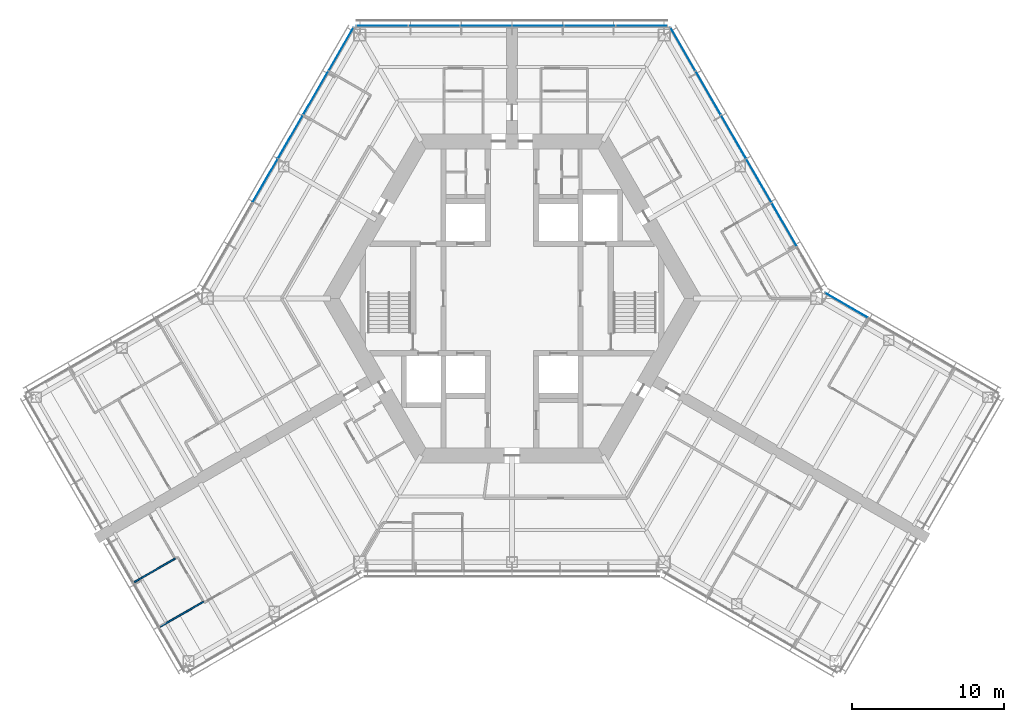
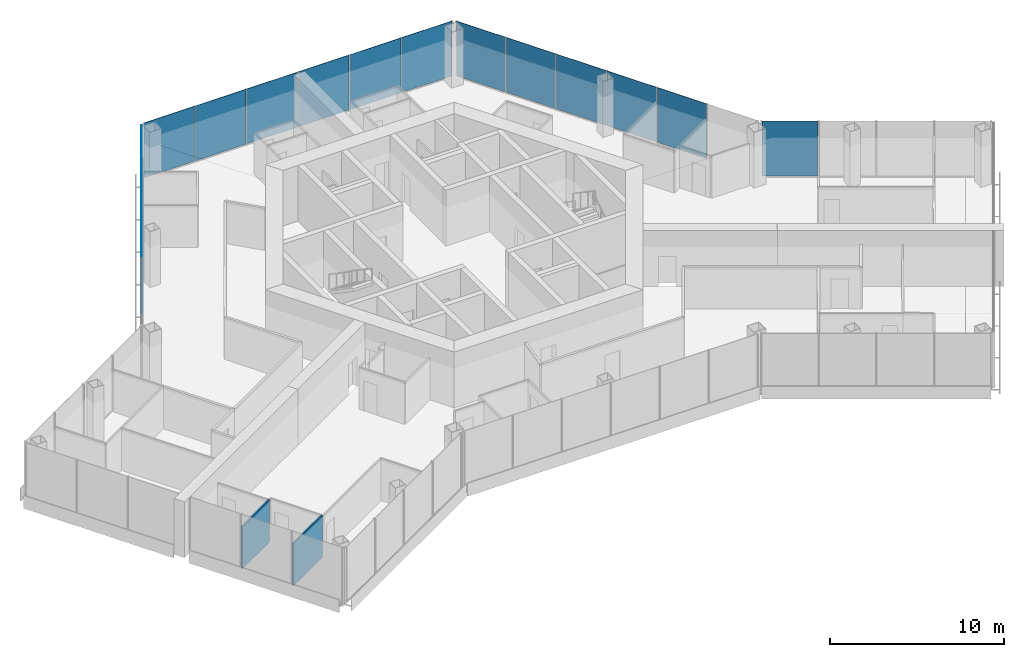
# One storey, part 11 of 18: 16 plates, 2 walls, 4 elements without a shape of their own.
"""IFC4 building model written with IfcOpenShell, lengths in metres."""

from ifc_helpers import new_model, si_unit, direction, frame, frame_2d, origin, origin_2d, place, context, subcontext, project, spatial, rectangle, extrude, material, layer, layer_set, type_object, element, aggregate, save


model = new_model("IFC4")

# Units and contexts
model_context = context("Model", 3, precision=1e-05, world=origin(), true_north=direction((0.0, 1.0)))
body_context = subcontext(model_context, "Body", "Model", "MODEL_VIEW")
ifc_project = project(units=[si_unit("LENGTHUNIT", "METRE"), si_unit("AREAUNIT", "SQUARE_METRE"), si_unit("VOLUMEUNIT", "CUBIC_METRE"), si_unit("PLANEANGLEUNIT", "RADIAN"), si_unit("MASSUNIT", "GRAM", prefix="KILO")], contexts=[model_context])

# Site, building, storey
site_placement = place(None, origin())
site = spatial("IfcSite", under=ifc_project, at=site_placement, CompositionType="ELEMENT")
building_placement = place(site_placement, origin())
building = spatial("IfcBuilding", under=site, at=building_placement, Name="Kasaneha Research Tower", CompositionType="ELEMENT")
storey_placement = place(building_placement, frame((0.0, 0.0, 191.60009765625)))
storey = spatial("IfcBuildingStorey", under=building, at=storey_placement, Name="L48", CompositionType="ELEMENT", Elevation=191.60009765625)

# Curtain wall, plate
ifc_material_1 = material(Name="Glass and aluminium", Category="aluminium")
curtain_wall_type = type_object("IfcCurtainWallType", Name="Mid-rise office curtain wall", PredefinedType="USERDEFINED", material=ifc_material_1)
curtain_wall_1_placement = place(storey_placement, origin())
curtain_wall_1 = element("IfcCurtainWall", 1, at=curtain_wall_1_placement, inside=storey, type_object=curtain_wall_type, Name="CW-O2 L48 run 05a", ObjectType="UNITISED CURTAIN WALL", PredefinedType="USERDEFINED")
ifc_material_2 = material(Name="Laminated double glazing", Category="glass")
ifc_layer_1 = layer(ifc_material_2, 0.02587890625)
ifc_layer_set_1 = layer_set([ifc_layer_1], Name="CW-O2 glazed panel")
plate_type = type_object("IfcPlateType", Name="CW-O2 glazed panel", PredefinedType="CURTAIN_PANEL", material=ifc_layer_set_1)
plate_1_placement = place(storey_placement, frame((21.971923828125, -0.44580078125, 0.06005859375), z_axis=(0.0, 0.0, 1.0), x_axis=(-0.866025411464, 0.499999986699, 0.0)))
plate_1 = element("IfcPlate", 2, at=plate_1_placement, type_object=plate_type, Name="CW-O2 panel 4", PredefinedType="CURTAIN_PANEL", context=body_context, shape_type="SweptSolid", body=[
    extrude(rectangle(XDim=3.2197265625, YDim=0.02587890625, at=origin_2d()), origin(), (0.0, 0.0, 1.0), 3.840087890625),
])
aggregate(curtain_wall_1, [plate_1])

# Curtain wall, plates
curtain_wall_2_placement = place(storey_placement, origin())
curtain_wall_2 = element("IfcCurtainWall", 3, at=curtain_wall_2_placement, inside=storey, type_object=curtain_wall_type, Name="CW-O2 L48 run 06a", ObjectType="UNITISED CURTAIN WALL", PredefinedType="USERDEFINED")
plate_2_placement = place(storey_placement, frame((17.89111328125, 4.852783203125, 0.06005859375), z_axis=(0.0, 0.0, 1.0), x_axis=(-0.499999979232, 0.866025415775, 0.0)))
plate_2 = element("IfcPlate", 4, at=plate_2_placement, type_object=plate_type, Name="CW-O2 panel 2", PredefinedType="CURTAIN_PANEL", context=body_context, shape_type="SweptSolid", body=[
    extrude(rectangle(XDim=3.27099609375, YDim=0.02587890625, at=origin_2d()), origin(), (0.0, 0.0, 1.0), 3.840087890625),
])
plate_3_placement = place(storey_placement, frame((16.2255859375, 7.737548828125, 0.06005859375), z_axis=(0.0, 0.0, 1.0), x_axis=(-0.499999979232, 0.866025415775, 0.0)))
plate_3 = element("IfcPlate", 5, at=plate_3_placement, type_object=plate_type, Name="CW-O2 panel 3", PredefinedType="CURTAIN_PANEL", context=body_context, shape_type="SweptSolid", body=[
    extrude(rectangle(XDim=3.27099609375, YDim=0.02587890625, at=origin_2d()), origin(), (0.0, 0.0, 1.0), 3.840087890625),
])
plate_4_placement = place(storey_placement, frame((14.56005859375, 10.622314453125, 0.06005859375), z_axis=(0.0, 0.0, 1.0), x_axis=(-0.499999979232, 0.866025415775, 0.0)))
plate_4 = element("IfcPlate", 6, at=plate_4_placement, type_object=plate_type, Name="CW-O2 panel 4", PredefinedType="CURTAIN_PANEL", context=body_context, shape_type="SweptSolid", body=[
    extrude(rectangle(XDim=3.27099609375, YDim=0.02587890625, at=origin_2d()), origin(), (0.0, 0.0, 1.0), 3.840087890625),
])
plate_5_placement = place(storey_placement, frame((12.89453125, 13.5068359375, 0.06005859375), z_axis=(0.0, 0.0, 1.0), x_axis=(-0.499999979232, 0.866025415775, 0.0)))
plate_5 = element("IfcPlate", 7, at=plate_5_placement, type_object=plate_type, Name="CW-O2 panel 5", PredefinedType="CURTAIN_PANEL", context=body_context, shape_type="SweptSolid", body=[
    extrude(rectangle(XDim=3.27099609375, YDim=0.02587890625, at=origin_2d()), origin(), (0.0, 0.0, 1.0), 3.840087890625),
])
plate_6_placement = place(storey_placement, frame((11.236572265625, 16.378662109375, 0.06005859375), z_axis=(0.0, 0.0, 1.0), x_axis=(-0.499999979232, 0.866025415775, 0.0)))
plate_6 = element("IfcPlate", 8, at=plate_6_placement, type_object=plate_type, Name="CW-O2 panel 6", PredefinedType="CURTAIN_PANEL", context=body_context, shape_type="SweptSolid", body=[
    extrude(rectangle(XDim=3.240966796875, YDim=0.02587890625, at=origin_2d()), origin(), (0.0, 0.0, 1.0), 3.840087890625),
])
aggregate(curtain_wall_2, [plate_2, plate_3, plate_4, plate_5, plate_6])

curtain_wall_3_placement = place(storey_placement, origin())
curtain_wall_3 = element("IfcCurtainWall", 9, at=curtain_wall_3_placement, inside=storey, type_object=curtain_wall_type, Name="CW-O2 L48 run 07a", ObjectType="UNITISED CURTAIN WALL", PredefinedType="USERDEFINED")
plate_7_placement = place(storey_placement, frame((8.523681640625, 17.92041015625, 0.06005859375), z_axis=(0.0, 0.0, 1.0), x_axis=(-1.0, 0.0, 0.0)))
plate_7 = element("IfcPlate", 10, at=plate_7_placement, type_object=plate_type, Name="CW-O2 panel 1", PredefinedType="CURTAIN_PANEL", context=body_context, shape_type="SweptSolid", body=[
    extrude(rectangle(XDim=3.325439453125, YDim=0.02587890625, at=origin_2d()), origin(), (0.0, 0.0, 1.0), 3.840087890625),
])
plate_8_placement = place(storey_placement, frame((5.123291015625, 17.92041015625, 0.06005859375), z_axis=(0.0, 0.0, 1.0), x_axis=(-1.0, 0.0, 0.0)))
plate_8 = element("IfcPlate", 11, at=plate_8_placement, type_object=plate_type, Name="CW-O2 panel 2", PredefinedType="CURTAIN_PANEL", context=body_context, shape_type="SweptSolid", body=[
    extrude(rectangle(XDim=3.35546875, YDim=0.02587890625, at=origin_2d()), origin(), (0.0, 0.0, 1.0), 3.840087890625),
])
plate_9_placement = place(storey_placement, frame((1.707763671875, 17.92041015625, 0.06005859375), z_axis=(0.0, 0.0, 1.0), x_axis=(-1.0, 0.0, 0.0)))
plate_9 = element("IfcPlate", 12, at=plate_9_placement, type_object=plate_type, Name="CW-O2 panel 3", PredefinedType="CURTAIN_PANEL", context=body_context, shape_type="SweptSolid", body=[
    extrude(rectangle(XDim=3.35546875, YDim=0.02587890625, at=origin_2d()), origin(), (0.0, 0.0, 1.0), 3.840087890625),
])
plate_10_placement = place(storey_placement, frame((-1.707763671875, 17.92041015625, 0.06005859375), z_axis=(0.0, 0.0, 1.0), x_axis=(-1.0, 0.0, 0.0)))
plate_10 = element("IfcPlate", 13, at=plate_10_placement, type_object=plate_type, Name="CW-O2 panel 4", PredefinedType="CURTAIN_PANEL", context=body_context, shape_type="SweptSolid", body=[
    extrude(rectangle(XDim=3.35546875, YDim=0.02587890625, at=origin_2d()), origin(), (0.0, 0.0, 1.0), 3.840087890625),
])
plate_11_placement = place(storey_placement, frame((-5.123291015625, 17.92041015625, 0.06005859375), z_axis=(0.0, 0.0, 1.0), x_axis=(-1.0, 0.0, 0.0)))
plate_11 = element("IfcPlate", 14, at=plate_11_placement, type_object=plate_type, Name="CW-O2 panel 5", PredefinedType="CURTAIN_PANEL", context=body_context, shape_type="SweptSolid", body=[
    extrude(rectangle(XDim=3.35546875, YDim=0.02587890625, at=origin_2d()), origin(), (0.0, 0.0, 1.0), 3.840087890625),
])
plate_12_placement = place(storey_placement, frame((-8.523681640625, 17.92041015625, 0.06005859375), z_axis=(0.0, 0.0, 1.0), x_axis=(-1.0, 0.0, 0.0)))
plate_12 = element("IfcPlate", 15, at=plate_12_placement, type_object=plate_type, Name="CW-O2 panel 6", PredefinedType="CURTAIN_PANEL", context=body_context, shape_type="SweptSolid", body=[
    extrude(rectangle(XDim=3.325439453125, YDim=0.02587890625, at=origin_2d()), origin(), (0.0, 0.0, 1.0), 3.840087890625),
])
aggregate(curtain_wall_3, [plate_7, plate_8, plate_9, plate_10, plate_11, plate_12])

curtain_wall_4_placement = place(storey_placement, origin())
curtain_wall_4 = element("IfcCurtainWall", 16, at=curtain_wall_4_placement, inside=storey, type_object=curtain_wall_type, Name="CW-O2 L48 run 08a", ObjectType="UNITISED CURTAIN WALL", PredefinedType="USERDEFINED")
plate_13_placement = place(storey_placement, frame((-11.236572265625, 16.378662109375, 0.06005859375), z_axis=(0.0, 0.0, 1.0), x_axis=(-0.499999979232, -0.866025415775, 0.0)))
plate_13 = element("IfcPlate", 17, at=plate_13_placement, type_object=plate_type, Name="CW-O2 panel 1", PredefinedType="CURTAIN_PANEL", context=body_context, shape_type="SweptSolid", body=[
    extrude(rectangle(XDim=3.240966796875, YDim=0.02587890625, at=origin_2d()), origin(), (0.0, 0.0, 1.0), 3.840087890625),
])
plate_14_placement = place(storey_placement, frame((-12.89453125, 13.5068359375, 0.06005859375), z_axis=(0.0, 0.0, 1.0), x_axis=(-0.499999979232, -0.866025415775, 0.0)))
plate_14 = element("IfcPlate", 18, at=plate_14_placement, type_object=plate_type, Name="CW-O2 panel 2", PredefinedType="CURTAIN_PANEL", context=body_context, shape_type="SweptSolid", body=[
    extrude(rectangle(XDim=3.27099609375, YDim=0.02587890625, at=origin_2d()), origin(), (0.0, 0.0, 1.0), 3.840087890625),
])
plate_15_placement = place(storey_placement, frame((-14.56005859375, 10.622314453125, 0.06005859375), z_axis=(0.0, 0.0, 1.0), x_axis=(-0.499999979232, -0.866025415775, 0.0)))
plate_15 = element("IfcPlate", 19, at=plate_15_placement, type_object=plate_type, Name="CW-O2 panel 3", PredefinedType="CURTAIN_PANEL", context=body_context, shape_type="SweptSolid", body=[
    extrude(rectangle(XDim=3.27099609375, YDim=0.02587890625, at=origin_2d()), origin(), (0.0, 0.0, 1.0), 3.840087890625),
])
plate_16_placement = place(storey_placement, frame((-16.2255859375, 7.737548828125, 0.06005859375), z_axis=(0.0, 0.0, 1.0), x_axis=(-0.499999979232, -0.866025415775, 0.0)))
plate_16 = element("IfcPlate", 20, at=plate_16_placement, type_object=plate_type, Name="CW-O2 panel 4", PredefinedType="CURTAIN_PANEL", context=body_context, shape_type="SweptSolid", body=[
    extrude(rectangle(XDim=3.27099609375, YDim=0.02587890625, at=origin_2d()), origin(), (0.0, 0.0, 1.0), 3.840087890625),
])
aggregate(curtain_wall_4, [plate_13, plate_14, plate_15, plate_16])

# Walls
ifc_material_3 = material(Name="Gypsum board on steel studs, one layer each side", Category="steel")
ifc_layer_2 = layer(ifc_material_3, 0.10009765625)
ifc_layer_set_2 = layer_set([ifc_layer_2], Name="Office partition 100")
wall_type = type_object("IfcWallType", Name="Office partition 100", PredefinedType="PARTITIONING", material=ifc_layer_set_2)
wall_1_placement = place(storey_placement, frame((-23.13720703125, -21.576416015625, 0.0), z_axis=(0.0, 0.0, 1.0), x_axis=(0.866702770653, 0.498824926544, 0.0)))
element("IfcWall", 21, at=wall_1_placement, inside=storey, type_object=wall_type, Name="Office partition FBS06 L48", PredefinedType="PARTITIONING", context=body_context, shape_type="SweptSolid", body=[
    extrude(rectangle(XDim=3.3056640625, YDim=0.10009765625, at=frame_2d((1.65283203125, 0.0))), origin(), (0.0, 0.0, 1.0), 2.949951171875),
])
wall_2_placement = place(storey_placement, frame((-24.8291015625, -18.64599609375, 0.0), z_axis=(0.0, 0.0, 1.0), x_axis=(0.866002566612, 0.500039553057, 0.0)))
element("IfcWall", 22, at=wall_2_placement, inside=storey, type_object=wall_type, Name="Office partition FBS09 L48", PredefinedType="PARTITIONING", context=body_context, shape_type="SweptSolid", body=[
    extrude(rectangle(XDim=3.110107421875, YDim=0.10009765625, at=frame_2d((1.55517578125, 0.0))), origin(), (0.0, 0.0, 1.0), 2.949951171875),
])

save(model, "model.ifc")
